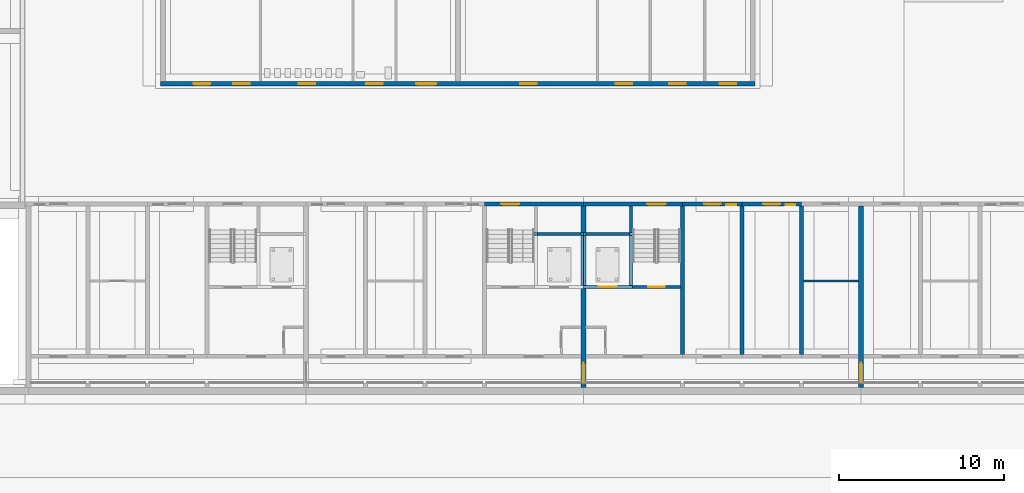
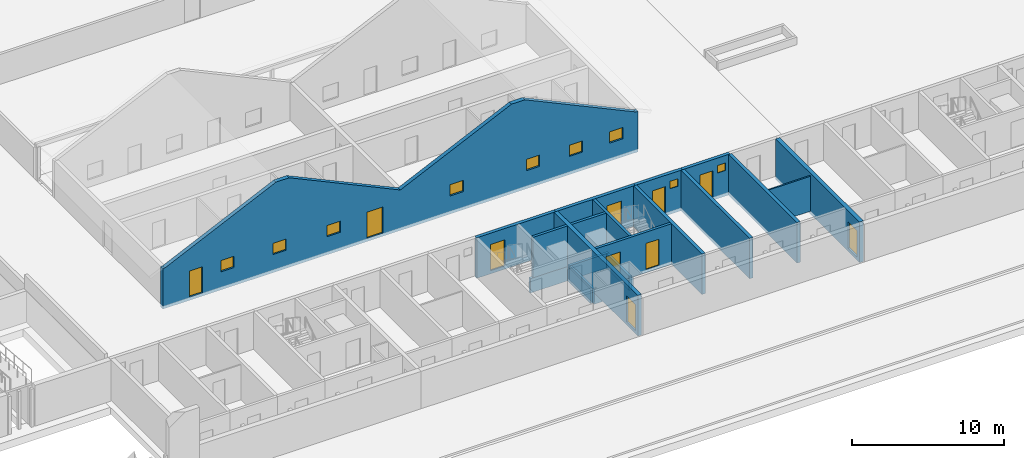
# One storey, part 39 of 112: 21 walls, 10 doors, 9 windows, 19 openings.
"""IFC4 building model written with IfcOpenShell, lengths in metres."""

from ifc_helpers import new_model, si_unit, direction, frame, frame_2d, origin, place, context, subcontext, project, spatial, polyline, rectangle, outline, extrude, material, layer, layer_set, type_object, element, fill, save


model = new_model("IFC4")

# Units and contexts
model_context = context("Model", 3, precision=1e-05, world=origin(), true_north=direction((0.0, 1.0)))
body_context = subcontext(model_context, "Body", "Model", "MODEL_VIEW")
ifc_project = project(units=[si_unit("LENGTHUNIT", "METRE"), si_unit("AREAUNIT", "SQUARE_METRE"), si_unit("VOLUMEUNIT", "CUBIC_METRE"), si_unit("PLANEANGLEUNIT", "RADIAN"), si_unit("MASSUNIT", "GRAM", prefix="KILO")], contexts=[model_context])

# Site, building, storey
site_placement = place(None, origin())
site = spatial("IfcSite", under=ifc_project, at=site_placement, CompositionType="ELEMENT")
building_placement = place(site_placement, origin())
building = spatial("IfcBuilding", under=site, at=building_placement, Name="Ridgestep Commons", CompositionType="ELEMENT")
storey_placement = place(building_placement, origin())
storey = spatial("IfcBuildingStorey", under=building, at=storey_placement, Name="L00", CompositionType="ELEMENT", Elevation=0.0)

# Walls
ifc_material_1 = material(Name="Concrete C30/37", Category="concrete")
ifc_layer_1 = layer(ifc_material_1, 0.25)
ifc_layer_set_1 = layer_set([ifc_layer_1], Name="Core cross wall 250")
wall_type_1 = type_object("IfcWallType", Name="Core cross wall 250", PredefinedType="SHEAR", material=ifc_layer_set_1)
wall_1_placement = place(storey_placement, frame((51.60009765625, 13.75, -0.25), z_axis=(0.0, 0.0, 1.0), x_axis=(0.0, 1.0, 0.0)))
element("IfcWall", 1, at=wall_1_placement, inside=storey, type_object=wall_type_1, Name="Cross wall A-00-0516", PredefinedType="SHEAR", context=body_context, shape_type="SweptSolid", body=[
    extrude(rectangle(XDim=9.0, YDim=0.25, at=frame_2d((4.5, 0.0))), origin(), (0.0, 0.0, 1.0), 3.25),
])
ifc_material_2 = material(Name="Concrete C30/37", Category="concrete")
ifc_layer_2 = layer(ifc_material_2, 0.14990234375)
ifc_layer_set_2 = layer_set([ifc_layer_2], Name="Core wall 150")
wall_type_2 = type_object("IfcWallType", Name="Core wall 150", PredefinedType="SHEAR", material=ifc_layer_set_2)
for number, where, z_axis, x_axis, name in (
    (2, (45.52490234375, 17.949951171875, -1.39990234375), (0.0, 0.0, 1.0), (0.0, 1.0, 0.0), "Lift pit wall A2C"),
    (3, (45.675048828125, 17.949951171875, -1.39990234375), (0.0, 0.0, 1.0), (0.0, 1.0, 0.0), "Lift pit wall A3C"),
):
    element("IfcWall", number, at=place(storey_placement, frame(where, z_axis=z_axis, x_axis=x_axis)), inside=storey, type_object=wall_type_2, Name=name, PredefinedType="SHEAR", context=body_context, shape_type="SweptSolid", body=[
        extrude(rectangle(XDim=3.0, YDim=0.14990234375, at=frame_2d((1.5, 0.0))), origin(), (0.0, 0.0, 1.0), 1.14990234375),
    ])
ifc_material_3 = material(Name="Concrete C30/37", Category="concrete")
ifc_layer_3 = layer(ifc_material_3, 0.199951171875)
ifc_layer_set_3 = layer_set([ifc_layer_3], Name="Core wall 200")
wall_type_3 = type_object("IfcWallType", Name="Core wall 200", PredefinedType="SHEAR", material=ifc_layer_set_3)
wall_2_placement = place(storey_placement, frame((42.824951171875, 21.050048828125, -0.25), z_axis=(0.0, 0.0, 1.0), x_axis=(1.0, 0.0, 0.0)))
element("IfcWall", 4, at=wall_2_placement, inside=storey, type_object=wall_type_3, Name="Core duct wall A2C L00", PredefinedType="SHEAR", context=body_context, shape_type="SweptSolid", body=[
    extrude(rectangle(XDim=2.625, YDim=0.199951171875, at=frame_2d((1.3125, 0.0))), origin(), (0.0, 0.0, 1.0), 3.25),
])

# Wall, openings, doors
wall_3_placement = place(storey_placement, frame((45.75, 17.85009765625, -0.25), z_axis=(0.0, 0.0, 1.0), x_axis=(1.0, 0.0, 0.0)))
wall_3 = element("IfcWall", 5, at=wall_3_placement, inside=storey, type_object=wall_type_3, Name="Core lobby wall A3C L00", PredefinedType="SHEAR", context=body_context, shape_type="SweptSolid", body=[
    extrude(rectangle(XDim=5.72509765625, YDim=0.199951171875, at=frame_2d((2.862548828125, 0.0))), origin(), (0.0, 0.0, 1.0), 3.25),
])
opening_1_placement = place(wall_3_placement, frame((3.77490234375, 0.0, 0.25)))
opening_1 = element("IfcOpeningElement", 6, at=opening_1_placement, cuts=wall_3, Name="Opening A3C/00/2", PredefinedType="OPENING", context=body_context, shape_type="SweptSolid", body=[
    extrude(rectangle(XDim=1.0, YDim=2.10009765625, at=frame_2d((0.5, 1.050048828125))), frame((0.0, 0.10986328125, 0.0), z_axis=(0.0, -1.0, 0.0), x_axis=(1.0, 0.0, 0.0)), (0.0, 0.0, 1.0), 0.219970703125),
])
opening_2_placement = place(wall_3_placement, frame((0.762451171875, 0.0, 0.25)))
opening_2 = element("IfcOpeningElement", 7, at=opening_2_placement, cuts=wall_3, Name="Opening A3C/00/3", PredefinedType="OPENING", context=body_context, shape_type="SweptSolid", body=[
    extrude(rectangle(XDim=1.10009765625, YDim=2.10009765625, at=frame_2d((0.550048828125, 1.050048828125))), frame((0.0, 0.10986328125, 0.0), z_axis=(0.0, -1.0, 0.0), x_axis=(1.0, 0.0, 0.0)), (0.0, 0.0, 1.0), 0.219970703125),
])
ifc_material_4 = material(Name="Stainless steel", Category="steel")
door_type_1 = type_object("IfcDoorType", Name="Lift landing door 1100 x 2100 FD60", OperationType="DOUBLE_DOOR_SLIDING", PredefinedType="DOOR", material=ifc_material_4)
door_1_placement = place(opening_2_placement, origin())
door_1 = element("IfcDoor", 8, at=door_1_placement, inside=storey, type_object=door_type_1, Name="Landing door LD A3C L00", OperationType="DOUBLE_DOOR_SLIDING", OverallHeight=2.10009765625, OverallWidth=1.10009765625, PredefinedType="DOOR", context=body_context, shape_type="SweptSolid", body=[
    extrude(rectangle(XDim=1.10009765625, YDim=2.10009765625, at=frame_2d((0.550048828125, 1.050048828125))), frame((0.0, 0.02490234375, 0.0), z_axis=(0.0, -1.0, 0.0), x_axis=(1.0, 0.0, 0.0)), (0.0, 0.0, 1.0), 0.050048828125),
])
fill(opening_2, door_1)
ifc_material_5 = material(Name="Steel fire door", Category="steel")
door_type_2 = type_object("IfcDoorType", Name="Stair door 1000 x 2100 FD60", OperationType="NOTDEFINED", PredefinedType="DOOR", material=ifc_material_5)
door_2_placement = place(opening_1_placement, origin())
door_2 = element("IfcDoor", 9, at=door_2_placement, inside=storey, type_object=door_type_2, Name="Stair door A3C/00/2", OperationType="SINGLE_SWING_RIGHT", OverallHeight=2.10009765625, OverallWidth=1.0, PredefinedType="DOOR", context=body_context, shape_type="SweptSolid", body=[
    extrude(rectangle(XDim=1.0, YDim=2.10009765625, at=frame_2d((0.5, 1.050048828125))), frame((0.0, 0.02490234375, 0.0), z_axis=(0.0, -1.0, 0.0), x_axis=(1.0, 0.0, 0.0)), (0.0, 0.0, 1.0), 0.050048828125),
])
fill(opening_1, door_2)

# Walls
wall_4_placement = place(storey_placement, frame((48.47509765625, 17.949951171875, -0.25), z_axis=(0.0, 0.0, 1.0), x_axis=(0.0, 1.0, 0.0)))
element("IfcWall", 10, at=wall_4_placement, inside=storey, type_object=wall_type_3, Name="Core stair wall A3C L00", PredefinedType="SHEAR", context=body_context, shape_type="SweptSolid", body=[
    extrude(rectangle(XDim=4.800048828125, YDim=0.199951171875, at=frame_2d((2.39990234375, 0.0))), origin(), (0.0, 0.0, 1.0), 3.25),
])
wall_5_placement = place(storey_placement, frame((45.75, 21.050048828125, -0.25), z_axis=(0.0, 0.0, 1.0), x_axis=(1.0, 0.0, 0.0)))
element("IfcWall", 11, at=wall_5_placement, inside=storey, type_object=wall_type_3, Name="Core duct wall A3C L00", PredefinedType="SHEAR", context=body_context, shape_type="SweptSolid", body=[
    extrude(rectangle(XDim=2.625, YDim=0.199951171875, at=frame_2d((1.3125, 0.0))), origin(), (0.0, 0.0, 1.0), 3.25),
])
wall_6_placement = place(storey_placement, frame((42.625, 21.050048828125, -1.39990234375), z_axis=(0.0, 0.0, 1.0), x_axis=(1.0, 0.0, 0.0)))
element("IfcWall", 12, at=wall_6_placement, inside=storey, type_object=wall_type_3, Name="Lift pit wall A2C", PredefinedType="SHEAR", context=body_context, shape_type="SweptSolid", body=[
    extrude(rectangle(XDim=2.97509765625, YDim=0.199951171875, at=frame_2d((1.487548828125, 0.0))), origin(), (0.0, 0.0, 1.0), 1.14990234375),
])
for number, where, z_axis, x_axis, name in (
    (13, (45.60009765625, 17.85009765625, -1.39990234375), (0.0, 0.0, 1.0), (1.0, 0.0, 0.0), "Lift pit wall A3C"),
    (14, (45.60009765625, 21.050048828125, -1.39990234375), (0.0, 0.0, 1.0), (1.0, 0.0, 0.0), "Lift pit wall A3C"),
):
    element("IfcWall", number, at=place(storey_placement, frame(where, z_axis=z_axis, x_axis=x_axis)), inside=storey, type_object=wall_type_3, Name=name, PredefinedType="SHEAR", context=body_context, shape_type="SweptSolid", body=[
        extrude(rectangle(XDim=2.974853515625, YDim=0.199951171875, at=frame_2d((1.4873046875, 0.0))), origin(), (0.0, 0.0, 1.0), 1.14990234375),
    ])
wall_7_placement = place(storey_placement, frame((48.47509765625, 17.949951171875, -1.39990234375), z_axis=(0.0, 0.0, 1.0), x_axis=(0.0, 1.0, 0.0)))
element("IfcWall", 15, at=wall_7_placement, inside=storey, type_object=wall_type_3, Name="Lift pit wall A3C", PredefinedType="SHEAR", context=body_context, shape_type="SweptSolid", body=[
    extrude(rectangle(XDim=3.0, YDim=0.199951171875, at=frame_2d((1.5, 0.0))), origin(), (0.0, 0.0, 1.0), 1.14990234375),
])
ifc_material_6 = material(Name="Precast concrete C40/50", Category="concrete")
ifc_layer_4 = layer(ifc_material_6, 0.25)
ifc_layer_set_4 = layer_set([ifc_layer_4], Name="Cross wall 250")
wall_type_4 = type_object("IfcWallType", Name="Cross wall 250", PredefinedType="SHEAR", material=ifc_layer_set_4)
for number, where, z_axis, x_axis, name in (
    (16, (55.199951171875, 13.75, -0.25), (0.0, 0.0, 1.0), (0.0, 1.0, 0.0), "Cross wall A-00-0552"),
    (17, (58.800048828125, 13.75, -0.25), (0.0, 0.0, 1.0), (0.0, 1.0, 0.0), "Cross wall A-00-0588"),
):
    element("IfcWall", number, at=place(storey_placement, frame(where, z_axis=z_axis, x_axis=x_axis)), inside=storey, type_object=wall_type_4, Name=name, PredefinedType="SHEAR", context=body_context, shape_type="SweptSolid", body=[
        extrude(rectangle(XDim=9.0, YDim=0.25, at=frame_2d((4.5, 0.0))), origin(), (0.0, 0.0, 1.0), 3.25),
    ])

# Wall, opening, door
ifc_material_7 = material(Name="Precast concrete C40/50", Category="concrete")
ifc_layer_5 = layer(ifc_material_7, 0.300048828125)
ifc_layer_set_5 = layer_set([ifc_layer_5], Name="Division wall 300")
wall_type_5 = type_object("IfcWallType", Name="Division wall 300", PredefinedType="SHEAR", material=ifc_layer_set_5)
wall_8_placement = place(storey_placement, frame((45.60009765625, 11.75, -0.25), z_axis=(0.0, 0.0, 1.0), x_axis=(0.0, 1.0, 0.0)))
wall_8 = element("IfcWall", 18, at=wall_8_placement, inside=storey, type_object=wall_type_5, Name="Cross wall A-00-0456", PredefinedType="SHEAR", context=body_context, shape_type="SweptSolid", body=[
    extrude(rectangle(XDim=11.0, YDim=0.300048828125, at=frame_2d((5.5, 0.0))), origin(), (0.0, 0.0, 1.0), 3.25),
])
opening_3_placement = place(wall_8_placement, frame((0.300048828125, 0.0, 0.25)))
opening_3 = element("IfcOpeningElement", 19, at=opening_3_placement, cuts=wall_8, Name="Opening A/00/G0456", PredefinedType="OPENING", context=body_context, shape_type="SweptSolid", body=[
    extrude(rectangle(XDim=1.199951171875, YDim=2.10009765625, at=frame_2d((0.60009765625, 1.050048828125))), frame((0.0, 0.159912109375, 0.0), z_axis=(0.0, -1.0, 0.0), x_axis=(1.0, 0.0, 0.0)), (0.0, 0.0, 1.0), 0.320068359375),
])
ifc_material_8 = material(Name="Steel fire door", Category="steel")
door_type_3 = type_object("IfcDoorType", Name="Division fire door 1200 x 2100 EI 240", OperationType="DOUBLE_DOOR_SINGLE_SWING", PredefinedType="DOOR", material=ifc_material_8)
door_3_placement = place(opening_3_placement, origin())
door_3 = element("IfcDoor", 20, at=door_3_placement, inside=storey, type_object=door_type_3, Name="Division fire door A/00/G0456", OperationType="DOUBLE_DOOR_SINGLE_SWING", OverallHeight=2.10009765625, OverallWidth=1.199951171875, PredefinedType="DOOR", context=body_context, shape_type="SweptSolid", body=[
    extrude(rectangle(XDim=1.199951171875, YDim=2.10009765625, at=frame_2d((0.60009765625, 1.050048828125))), frame((0.0, 0.02490234375, 0.0), z_axis=(0.0, -1.0, 0.0), x_axis=(1.0, 0.0, 0.0)), (0.0, 0.0, 1.0), 0.050048828125),
])
fill(opening_3, door_3)

wall_9_placement = place(storey_placement, frame((62.39990234375, 11.75, -0.25), z_axis=(0.0, 0.0, 1.0), x_axis=(0.0, 1.0, 0.0)))
wall_9 = element("IfcWall", 21, at=wall_9_placement, inside=storey, type_object=wall_type_5, Name="Cross wall A-00-0624", PredefinedType="SHEAR", context=body_context, shape_type="SweptSolid", body=[
    extrude(rectangle(XDim=11.0, YDim=0.300048828125, at=frame_2d((5.5, 0.0))), origin(), (0.0, 0.0, 1.0), 3.25),
])
opening_4_placement = place(wall_9_placement, frame((0.300048828125, 0.0, 0.25)))
opening_4 = element("IfcOpeningElement", 22, at=opening_4_placement, cuts=wall_9, Name="Opening A/00/G0624", PredefinedType="OPENING", context=body_context, shape_type="SweptSolid", body=[
    extrude(rectangle(XDim=1.199951171875, YDim=2.10009765625, at=frame_2d((0.60009765625, 1.050048828125))), frame((0.0, 0.159912109375, 0.0), z_axis=(0.0, -1.0, 0.0), x_axis=(1.0, 0.0, 0.0)), (0.0, 0.0, 1.0), 0.320068359375),
])
door_4_placement = place(opening_4_placement, origin())
door_4 = element("IfcDoor", 23, at=door_4_placement, inside=storey, type_object=door_type_3, Name="Division fire door A/00/G0624", OperationType="DOUBLE_DOOR_SINGLE_SWING", OverallHeight=2.10009765625, OverallWidth=1.199951171875, PredefinedType="DOOR", context=body_context, shape_type="SweptSolid", body=[
    extrude(rectangle(XDim=1.199951171875, YDim=2.10009765625, at=frame_2d((0.60009765625, 1.050048828125))), frame((0.0, 0.02490234375, 0.0), z_axis=(0.0, -1.0, 0.0), x_axis=(1.0, 0.0, 0.0)), (0.0, 0.0, 1.0), 0.050048828125),
])
fill(opening_4, door_4)

ifc_material_9 = material(Name="Precast concrete C40/50", Category="concrete")
ifc_layer_6 = layer(ifc_material_9, 0.25)
ifc_layer_set_6 = layer_set([ifc_layer_6], Name="North facade panel 250")
wall_type_6 = type_object("IfcWallType", Name="North facade panel 250", PredefinedType="SOLIDWALL", material=ifc_layer_set_6)
wall_10_placement = place(storey_placement, frame((39.60009765625, 22.875, -0.25), z_axis=(0.0, 0.0, 1.0), x_axis=(1.0, 0.0, 0.0)))
wall_10 = element("IfcWall", 24, at=wall_10_placement, inside=storey, type_object=wall_type_6, Name="North panel A2C L00", PredefinedType="SOLIDWALL", context=body_context, shape_type="SweptSolid", body=[
    extrude(rectangle(XDim=6.0, YDim=0.25, at=frame_2d((3.0, 0.0))), origin(), (0.0, 0.0, 1.0), 3.25),
])
opening_5_placement = place(wall_10_placement, frame((1.02490234375, 0.0, 0.25)))
opening_5 = element("IfcOpeningElement", 25, at=opening_5_placement, cuts=wall_10, Name="Opening A2C/00/5", PredefinedType="OPENING", context=body_context, shape_type="SweptSolid", body=[
    extrude(rectangle(XDim=1.10009765625, YDim=2.10009765625, at=frame_2d((0.550048828125, 1.050048828125))), frame((0.0, 0.135009765625, 0.0), z_axis=(0.0, -1.0, 0.0), x_axis=(1.0, 0.0, 0.0)), (0.0, 0.0, 1.0), 0.27001953125),
])
ifc_material_10 = material(Name="Steel fire door", Category="steel")
door_type_4 = type_object("IfcDoorType", Name="Stair exit door 1100 x 2100 FD60", OperationType="NOTDEFINED", PredefinedType="DOOR", material=ifc_material_10)
door_5_placement = place(opening_5_placement, origin())
door_5 = element("IfcDoor", 26, at=door_5_placement, inside=storey, type_object=door_type_4, Name="Stair exit door A2C/00/5", OperationType="SINGLE_SWING_LEFT", OverallHeight=2.10009765625, OverallWidth=1.10009765625, PredefinedType="DOOR", context=body_context, shape_type="SweptSolid", body=[
    extrude(rectangle(XDim=1.10009765625, YDim=2.10009765625, at=frame_2d((0.550048828125, 1.050048828125))), frame((0.0, 0.02490234375, 0.0), z_axis=(0.0, -1.0, 0.0), x_axis=(1.0, 0.0, 0.0)), (0.0, 0.0, 1.0), 0.050048828125),
])
fill(opening_5, door_5)

wall_11_placement = place(storey_placement, frame((45.60009765625, 22.875, -0.25), z_axis=(0.0, 0.0, 1.0), x_axis=(1.0, 0.0, 0.0)))
wall_11 = element("IfcWall", 27, at=wall_11_placement, inside=storey, type_object=wall_type_6, Name="North panel A3C L00", PredefinedType="SOLIDWALL", context=body_context, shape_type="SweptSolid", body=[
    extrude(rectangle(XDim=6.0, YDim=0.25, at=frame_2d((3.0, 0.0))), origin(), (0.0, 0.0, 1.0), 3.25),
])
opening_6_placement = place(wall_11_placement, frame((3.875, 0.0, 0.25)))
opening_6 = element("IfcOpeningElement", 28, at=opening_6_placement, cuts=wall_11, Name="Opening A3C/00/5", PredefinedType="OPENING", context=body_context, shape_type="SweptSolid", body=[
    extrude(rectangle(XDim=1.10009765625, YDim=2.10009765625, at=frame_2d((0.550048828125, 1.050048828125))), frame((0.0, 0.135009765625, 0.0), z_axis=(0.0, -1.0, 0.0), x_axis=(1.0, 0.0, 0.0)), (0.0, 0.0, 1.0), 0.27001953125),
])
door_6_placement = place(opening_6_placement, origin())
door_6 = element("IfcDoor", 29, at=door_6_placement, inside=storey, type_object=door_type_4, Name="Stair exit door A3C/00/5", OperationType="SINGLE_SWING_LEFT", OverallHeight=2.10009765625, OverallWidth=1.10009765625, PredefinedType="DOOR", context=body_context, shape_type="SweptSolid", body=[
    extrude(rectangle(XDim=1.10009765625, YDim=2.10009765625, at=frame_2d((0.550048828125, 1.050048828125))), frame((0.0, 0.02490234375, 0.0), z_axis=(0.0, -1.0, 0.0), x_axis=(1.0, 0.0, 0.0)), (0.0, 0.0, 1.0), 0.050048828125),
])
fill(opening_6, door_6)

# Wall, openings, door, window
wall_12_placement = place(storey_placement, frame((51.60009765625, 22.875, -0.25), z_axis=(0.0, 0.0, 1.0), x_axis=(1.0, 0.0, 0.0)))
wall_12 = element("IfcWall", 30, at=wall_12_placement, inside=storey, type_object=wall_type_6, Name="North panel A3T3 L00", PredefinedType="SOLIDWALL", context=body_context, shape_type="SweptSolid", body=[
    extrude(rectangle(XDim=3.599853515625, YDim=0.25, at=frame_2d((1.7998046875, 0.0))), origin(), (0.0, 0.0, 1.0), 3.25),
])
opening_7_placement = place(wall_12_placement, frame((2.637451171875, 0.0, 2.050048828125)))
opening_7 = element("IfcOpeningElement", 31, at=opening_7_placement, cuts=wall_12, Name="Opening W01", PredefinedType="OPENING", context=body_context, shape_type="SweptSolid", body=[
    extrude(rectangle(XDim=0.60009765625, YDim=0.60009765625, at=frame_2d((0.300048828125, 0.300048828125))), frame((0.0, 0.135009765625, 0.0), z_axis=(0.0, -1.0, 0.0), x_axis=(1.0, 0.0, 0.0)), (0.0, 0.0, 1.0), 0.27001953125),
])
opening_8_placement = place(wall_12_placement, frame((1.300048828125, 0.0, 0.25)))
opening_8 = element("IfcOpeningElement", 32, at=opening_8_placement, cuts=wall_12, Name="Opening A3-00p/2", PredefinedType="OPENING", context=body_context, shape_type="SweptSolid", body=[
    extrude(rectangle(XDim=1.0, YDim=2.10009765625, at=frame_2d((0.5, 1.050048828125))), frame((0.0, 0.135009765625, 0.0), z_axis=(0.0, -1.0, 0.0), x_axis=(1.0, 0.0, 0.0)), (0.0, 0.0, 1.0), 0.27001953125),
])
ifc_material_11 = material(Name="Steel door leaf", Category="steel")
door_type_5 = type_object("IfcDoorType", Name="Exterior door 1000 x 2100", OperationType="NOTDEFINED", PredefinedType="DOOR", material=ifc_material_11)
door_7_placement = place(opening_8_placement, origin())
door_7 = element("IfcDoor", 33, at=door_7_placement, inside=storey, type_object=door_type_5, Name="Exterior door A3-00p/2", OperationType="SINGLE_SWING_LEFT", OverallHeight=2.10009765625, OverallWidth=1.0, PredefinedType="DOOR", context=body_context, shape_type="SweptSolid", body=[
    extrude(rectangle(XDim=1.0, YDim=2.10009765625, at=frame_2d((0.5, 1.050048828125))), frame((0.0, 0.02490234375, 0.0), z_axis=(0.0, -1.0, 0.0), x_axis=(1.0, 0.0, 0.0)), (0.0, 0.0, 1.0), 0.050048828125),
])
fill(opening_8, door_7)
ifc_material_12 = material(Name="Aluminium 6063-T6 and glass", Category="aluminium")
window_type_1 = type_object("IfcWindowType", Name="Flat window 600 x 600", PartitioningType="SINGLE_PANEL", PredefinedType="WINDOW", material=ifc_material_12)
window_1_placement = place(opening_7_placement, origin())
window_1 = element("IfcWindow", 34, at=window_1_placement, inside=storey, type_object=window_type_1, Name="Window A3-00p 2", OverallHeight=0.60009765625, OverallWidth=0.60009765625, PartitioningType="SINGLE_PANEL", PredefinedType="WINDOW", context=body_context, shape_type="SweptSolid", body=[
    extrude(rectangle(XDim=0.60009765625, YDim=0.60009765625, at=frame_2d((0.300048828125, 0.300048828125))), frame((0.0, -0.02490234375, 0.0), z_axis=(0.0, -1.0, 0.0), x_axis=(1.0, 0.0, 0.0)), (0.0, 0.0, 1.0), 0.06005859375),
])
fill(opening_7, window_1)

wall_13_placement = place(storey_placement, frame((55.199951171875, 22.875, -0.25), z_axis=(0.0, 0.0, 1.0), x_axis=(1.0, 0.0, 0.0)))
wall_13 = element("IfcWall", 35, at=wall_13_placement, inside=storey, type_object=wall_type_6, Name="North panel A3T2 L00", PredefinedType="SOLIDWALL", context=body_context, shape_type="SweptSolid", body=[
    extrude(rectangle(XDim=3.60009765625, YDim=0.25, at=frame_2d((1.800048828125, 0.0))), origin(), (0.0, 0.0, 1.0), 3.25),
])
opening_9_placement = place(wall_13_placement, frame((2.637451171875, 0.0, 2.050048828125)))
opening_9 = element("IfcOpeningElement", 36, at=opening_9_placement, cuts=wall_13, Name="Opening W01", PredefinedType="OPENING", context=body_context, shape_type="SweptSolid", body=[
    extrude(rectangle(XDim=0.60009765625, YDim=0.60009765625, at=frame_2d((0.300048828125, 0.300048828125))), frame((0.0, 0.135009765625, 0.0), z_axis=(0.0, -1.0, 0.0), x_axis=(1.0, 0.0, 0.0)), (0.0, 0.0, 1.0), 0.27001953125),
])
opening_10_placement = place(wall_13_placement, frame((1.300048828125, 0.0, 0.25)))
opening_10 = element("IfcOpeningElement", 37, at=opening_10_placement, cuts=wall_13, Name="Opening A3-00p/4", PredefinedType="OPENING", context=body_context, shape_type="SweptSolid", body=[
    extrude(rectangle(XDim=1.0, YDim=2.10009765625, at=frame_2d((0.5, 1.050048828125))), frame((0.0, 0.135009765625, 0.0), z_axis=(0.0, -1.0, 0.0), x_axis=(1.0, 0.0, 0.0)), (0.0, 0.0, 1.0), 0.27001953125),
])
door_8_placement = place(opening_10_placement, origin())
door_8 = element("IfcDoor", 38, at=door_8_placement, inside=storey, type_object=door_type_5, Name="Exterior door A3-00p/4", OperationType="SINGLE_SWING_LEFT", OverallHeight=2.10009765625, OverallWidth=1.0, PredefinedType="DOOR", context=body_context, shape_type="SweptSolid", body=[
    extrude(rectangle(XDim=1.0, YDim=2.10009765625, at=frame_2d((0.5, 1.050048828125))), frame((0.0, 0.02490234375, 0.0), z_axis=(0.0, -1.0, 0.0), x_axis=(1.0, 0.0, 0.0)), (0.0, 0.0, 1.0), 0.050048828125),
])
fill(opening_10, door_8)
window_2_placement = place(opening_9_placement, origin())
window_2 = element("IfcWindow", 39, at=window_2_placement, inside=storey, type_object=window_type_1, Name="Window A3-00p 4", OverallHeight=0.60009765625, OverallWidth=0.60009765625, PartitioningType="SINGLE_PANEL", PredefinedType="WINDOW", context=body_context, shape_type="SweptSolid", body=[
    extrude(rectangle(XDim=0.60009765625, YDim=0.60009765625, at=frame_2d((0.300048828125, 0.300048828125))), frame((0.0, -0.02490234375, 0.0), z_axis=(0.0, -1.0, 0.0), x_axis=(1.0, 0.0, 0.0)), (0.0, 0.0, 1.0), 0.06005859375),
])
fill(opening_9, window_2)

# Wall, openings, doors, windows
ifc_material_13 = material(Name="Facing brick", Category="masonry")
ifc_layer_7 = layer(ifc_material_13, 0.300048828125)
ifc_layer_set_7 = layer_set([ifc_layer_7], Name="Nursery gable wall 300")
wall_type_7 = type_object("IfcWallType", Name="Nursery gable wall 300", PredefinedType="SOLIDWALL", material=ifc_layer_set_7)
wall_14_placement = place(storey_placement, frame((20.0, 30.14990234375, -0.25), z_axis=(0.0, 0.0, 1.0), x_axis=(1.0, 0.0, 0.0)))
wall_14 = element("IfcWall", 40, at=wall_14_placement, inside=storey, type_object=wall_type_7, Name="Nursery gable wall 300", PredefinedType="SOLIDWALL", context=body_context, shape_type="SweptSolid", body=[
    extrude(outline(polyline([(0.0, 0.0), (36.0, 0.0), (36.0, 3.2470703125), (35.85009765625, 3.2470703125), (27.425048828125, 7.175537109375), (26.425048828125, 7.175537109375), (18.0, 3.2470703125), (9.574951171875, 7.175537109375), (8.574951171875, 7.175537109375), (0.14990234375, 3.2470703125), (0.0, 3.2470703125), (0.0, 0.0)])), frame((0.0, 0.14990234375, 0.0), z_axis=(0.0, -1.0, 0.0), x_axis=(1.0, 0.0, 0.0)), (0.0, 0.0, 1.0), 0.300048828125),
])
opening_11_placement = place(wall_14_placement, frame((2.0, 0.0, 0.25)))
opening_11 = element("IfcOpeningElement", 41, at=opening_11_placement, cuts=wall_14, Name="Opening C016", PredefinedType="OPENING", context=body_context, shape_type="SweptSolid", body=[
    extrude(rectangle(XDim=1.0, YDim=2.10009765625, at=frame_2d((0.5, 1.050048828125))), frame((0.0, 0.159912109375, 0.0), z_axis=(0.0, -1.0, 0.0), x_axis=(1.0, 0.0, 0.0)), (0.0, 0.0, 1.0), 0.320068359375),
])
opening_12_placement = place(wall_14_placement, frame((4.39990234375, 0.0, 1.449951171875)))
opening_12 = element("IfcOpeningElement", 42, at=opening_12_placement, cuts=wall_14, Name="Opening WK8", PredefinedType="OPENING", context=body_context, shape_type="SweptSolid", body=[
    extrude(rectangle(XDim=1.0, YDim=0.89990234375, at=frame_2d((0.5, 0.449951171875))), frame((0.0, 0.159912109375, 0.0), z_axis=(0.0, -1.0, 0.0), x_axis=(1.0, 0.0, 0.0)), (0.0, 0.0, 1.0), 0.320068359375),
])
opening_13_placement = place(wall_14_placement, frame((8.35009765625, 0.0, 1.449951171875)))
opening_13 = element("IfcOpeningElement", 43, at=opening_13_placement, cuts=wall_14, Name="Opening WK8", PredefinedType="OPENING", context=body_context, shape_type="SweptSolid", body=[
    extrude(rectangle(XDim=1.0, YDim=0.89990234375, at=frame_2d((0.5, 0.449951171875))), frame((0.0, 0.159912109375, 0.0), z_axis=(0.0, -1.0, 0.0), x_axis=(1.0, 0.0, 0.0)), (0.0, 0.0, 1.0), 0.320068359375),
])
opening_14_placement = place(wall_14_placement, frame((12.449951171875, 0.0, 1.449951171875)))
opening_14 = element("IfcOpeningElement", 44, at=opening_14_placement, cuts=wall_14, Name="Opening WK8", PredefinedType="OPENING", context=body_context, shape_type="SweptSolid", body=[
    extrude(rectangle(XDim=1.0, YDim=0.89990234375, at=frame_2d((0.5, 0.449951171875))), frame((0.0, 0.159912109375, 0.0), z_axis=(0.0, -1.0, 0.0), x_axis=(1.0, 0.0, 0.0)), (0.0, 0.0, 1.0), 0.320068359375),
])
opening_15_placement = place(wall_14_placement, frame((15.4775390625, 0.0, 0.25)))
opening_15 = element("IfcOpeningElement", 45, at=opening_15_placement, cuts=wall_14, Name="Opening C017", PredefinedType="OPENING", context=body_context, shape_type="SweptSolid", body=[
    extrude(rectangle(XDim=1.199951171875, YDim=2.10009765625, at=frame_2d((0.60009765625, 1.050048828125))), frame((0.0, 0.159912109375, 0.0), z_axis=(0.0, -1.0, 0.0), x_axis=(1.0, 0.0, 0.0)), (0.0, 0.0, 1.0), 0.320068359375),
])
opening_16_placement = place(wall_14_placement, frame((21.7724609375, 0.0, 1.449951171875)))
opening_16 = element("IfcOpeningElement", 46, at=opening_16_placement, cuts=wall_14, Name="Opening WK8", PredefinedType="OPENING", context=body_context, shape_type="SweptSolid", body=[
    extrude(rectangle(XDim=1.0, YDim=0.89990234375, at=frame_2d((0.5, 0.449951171875))), frame((0.0, 0.159912109375, 0.0), z_axis=(0.0, -1.0, 0.0), x_axis=(1.0, 0.0, 0.0)), (0.0, 0.0, 1.0), 0.320068359375),
])
opening_17_placement = place(wall_14_placement, frame((27.550048828125, 0.0, 1.449951171875)))
opening_17 = element("IfcOpeningElement", 47, at=opening_17_placement, cuts=wall_14, Name="Opening WK8", PredefinedType="OPENING", context=body_context, shape_type="SweptSolid", body=[
    extrude(rectangle(XDim=1.0, YDim=0.89990234375, at=frame_2d((0.5, 0.449951171875))), frame((0.0, 0.159912109375, 0.0), z_axis=(0.0, -1.0, 0.0), x_axis=(1.0, 0.0, 0.0)), (0.0, 0.0, 1.0), 0.320068359375),
])
opening_18_placement = place(wall_14_placement, frame((30.800048828125, 0.0, 1.449951171875)))
opening_18 = element("IfcOpeningElement", 48, at=opening_18_placement, cuts=wall_14, Name="Opening WK8", PredefinedType="OPENING", context=body_context, shape_type="SweptSolid", body=[
    extrude(rectangle(XDim=1.0, YDim=0.89990234375, at=frame_2d((0.5, 0.449951171875))), frame((0.0, 0.159912109375, 0.0), z_axis=(0.0, -1.0, 0.0), x_axis=(1.0, 0.0, 0.0)), (0.0, 0.0, 1.0), 0.320068359375),
])
opening_19_placement = place(wall_14_placement, frame((33.8525390625, 0.0, 1.449951171875)))
opening_19 = element("IfcOpeningElement", 49, at=opening_19_placement, cuts=wall_14, Name="Opening WK8", PredefinedType="OPENING", context=body_context, shape_type="SweptSolid", body=[
    extrude(rectangle(XDim=1.0, YDim=0.89990234375, at=frame_2d((0.5, 0.449951171875))), frame((0.0, 0.159912109375, 0.0), z_axis=(0.0, -1.0, 0.0), x_axis=(1.0, 0.0, 0.0)), (0.0, 0.0, 1.0), 0.320068359375),
])
ifc_material_14 = material(Name="Timber and glass", Category="wood")
door_type_6 = type_object("IfcDoorType", Name="Community entrance door 1200 x 2100", OperationType="SINGLE_SWING_LEFT", PredefinedType="DOOR", material=ifc_material_14)
door_9_placement = place(opening_15_placement, origin())
door_9 = element("IfcDoor", 50, at=door_9_placement, inside=storey, type_object=door_type_6, Name="Community entrance door 1200 x 2100", OperationType="SINGLE_SWING_LEFT", OverallHeight=2.10009765625, OverallWidth=1.199951171875, PredefinedType="DOOR", context=body_context, shape_type="SweptSolid", body=[
    extrude(rectangle(XDim=1.199951171875, YDim=2.10009765625, at=frame_2d((0.60009765625, 1.050048828125))), frame((0.0, 0.02490234375, 0.0), z_axis=(0.0, -1.0, 0.0), x_axis=(1.0, 0.0, 0.0)), (0.0, 0.0, 1.0), 0.050048828125),
])
fill(opening_15, door_9)
ifc_material_15 = material(Name="Steel", Category="steel")
door_type_7 = type_object("IfcDoorType", Name="Community exit door 1000 x 2100", OperationType="SINGLE_SWING_LEFT", PredefinedType="DOOR", material=ifc_material_15)
door_10_placement = place(opening_11_placement, frame((1.0, 0.0, 0.0), z_axis=(0.0, 0.0, 1.0), x_axis=(-1.0, 0.0, 0.0)))
door_10 = element("IfcDoor", 51, at=door_10_placement, inside=storey, type_object=door_type_7, Name="Community exit door 1000 x 2100", OperationType="SINGLE_SWING_LEFT", OverallHeight=2.10009765625, OverallWidth=1.0, PredefinedType="DOOR", context=body_context, shape_type="SweptSolid", body=[
    extrude(rectangle(XDim=1.0, YDim=2.10009765625, at=frame_2d((0.5, 1.050048828125))), frame((0.0, 0.02490234375, 0.0), z_axis=(0.0, -1.0, 0.0), x_axis=(1.0, 0.0, 0.0)), (0.0, 0.0, 1.0), 0.050048828125),
])
fill(opening_11, door_10)
ifc_material_16 = material(Name="Timber and glass", Category="wood")
window_type_2 = type_object("IfcWindowType", Name="Nursery window 1000 x 900", PartitioningType="SINGLE_PANEL", PredefinedType="WINDOW", material=ifc_material_16)
window_3_placement = place(opening_12_placement, origin())
window_3 = element("IfcWindow", 52, at=window_3_placement, inside=storey, type_object=window_type_2, Name="Nursery window 1000 x 900", OverallHeight=0.89990234375, OverallWidth=1.0, PartitioningType="SINGLE_PANEL", PredefinedType="WINDOW", context=body_context, shape_type="SweptSolid", body=[
    extrude(rectangle(XDim=1.0, YDim=0.89990234375, at=frame_2d((0.5, 0.449951171875))), frame((0.0, 0.030029296875, 0.0), z_axis=(0.0, -1.0, 0.0), x_axis=(1.0, 0.0, 0.0)), (0.0, 0.0, 1.0), 0.06005859375),
])
fill(opening_12, window_3)
window_4_placement = place(opening_13_placement, origin())
window_4 = element("IfcWindow", 53, at=window_4_placement, inside=storey, type_object=window_type_2, Name="Nursery window 1000 x 900", OverallHeight=0.89990234375, OverallWidth=1.0, PartitioningType="SINGLE_PANEL", PredefinedType="WINDOW", context=body_context, shape_type="SweptSolid", body=[
    extrude(rectangle(XDim=1.0, YDim=0.89990234375, at=frame_2d((0.5, 0.449951171875))), frame((0.0, 0.030029296875, 0.0), z_axis=(0.0, -1.0, 0.0), x_axis=(1.0, 0.0, 0.0)), (0.0, 0.0, 1.0), 0.06005859375),
])
fill(opening_13, window_4)
window_5_placement = place(opening_14_placement, origin())
window_5 = element("IfcWindow", 54, at=window_5_placement, inside=storey, type_object=window_type_2, Name="Nursery window 1000 x 900", OverallHeight=0.89990234375, OverallWidth=1.0, PartitioningType="SINGLE_PANEL", PredefinedType="WINDOW", context=body_context, shape_type="SweptSolid", body=[
    extrude(rectangle(XDim=1.0, YDim=0.89990234375, at=frame_2d((0.5, 0.449951171875))), frame((0.0, 0.030029296875, 0.0), z_axis=(0.0, -1.0, 0.0), x_axis=(1.0, 0.0, 0.0)), (0.0, 0.0, 1.0), 0.06005859375),
])
fill(opening_14, window_5)
window_6_placement = place(opening_16_placement, origin())
window_6 = element("IfcWindow", 55, at=window_6_placement, inside=storey, type_object=window_type_2, Name="Nursery window 1000 x 900", OverallHeight=0.89990234375, OverallWidth=1.0, PartitioningType="SINGLE_PANEL", PredefinedType="WINDOW", context=body_context, shape_type="SweptSolid", body=[
    extrude(rectangle(XDim=1.0, YDim=0.89990234375, at=frame_2d((0.5, 0.449951171875))), frame((0.0, 0.030029296875, 0.0), z_axis=(0.0, -1.0, 0.0), x_axis=(1.0, 0.0, 0.0)), (0.0, 0.0, 1.0), 0.06005859375),
])
fill(opening_16, window_6)
window_7_placement = place(opening_17_placement, origin())
window_7 = element("IfcWindow", 56, at=window_7_placement, inside=storey, type_object=window_type_2, Name="Nursery window 1000 x 900", OverallHeight=0.89990234375, OverallWidth=1.0, PartitioningType="SINGLE_PANEL", PredefinedType="WINDOW", context=body_context, shape_type="SweptSolid", body=[
    extrude(rectangle(XDim=1.0, YDim=0.89990234375, at=frame_2d((0.5, 0.449951171875))), frame((0.0, 0.030029296875, 0.0), z_axis=(0.0, -1.0, 0.0), x_axis=(1.0, 0.0, 0.0)), (0.0, 0.0, 1.0), 0.06005859375),
])
fill(opening_17, window_7)
window_8_placement = place(opening_18_placement, origin())
window_8 = element("IfcWindow", 57, at=window_8_placement, inside=storey, type_object=window_type_2, Name="Nursery window 1000 x 900", OverallHeight=0.89990234375, OverallWidth=1.0, PartitioningType="SINGLE_PANEL", PredefinedType="WINDOW", context=body_context, shape_type="SweptSolid", body=[
    extrude(rectangle(XDim=1.0, YDim=0.89990234375, at=frame_2d((0.5, 0.449951171875))), frame((0.0, 0.030029296875, 0.0), z_axis=(0.0, -1.0, 0.0), x_axis=(1.0, 0.0, 0.0)), (0.0, 0.0, 1.0), 0.06005859375),
])
fill(opening_18, window_8)
window_9_placement = place(opening_19_placement, origin())
window_9 = element("IfcWindow", 58, at=window_9_placement, inside=storey, type_object=window_type_2, Name="Nursery window 1000 x 900", OverallHeight=0.89990234375, OverallWidth=1.0, PartitioningType="SINGLE_PANEL", PredefinedType="WINDOW", context=body_context, shape_type="SweptSolid", body=[
    extrude(rectangle(XDim=1.0, YDim=0.89990234375, at=frame_2d((0.5, 0.449951171875))), frame((0.0, 0.030029296875, 0.0), z_axis=(0.0, -1.0, 0.0), x_axis=(1.0, 0.0, 0.0)), (0.0, 0.0, 1.0), 0.06005859375),
])
fill(opening_19, window_9)

# Wall
ifc_material_17 = material(Name="Common brick 110 mm", Category="masonry")
ifc_layer_8 = layer(ifc_material_17, 0.110107421875)
ifc_layer_set_8 = layer_set([ifc_layer_8], Name="Partition 110")
wall_type_8 = type_object("IfcWallType", Name="Partition 110", PredefinedType="PARTITIONING", material=ifc_layer_set_8)
wall_15_placement = place(storey_placement, frame((58.925048828125, 18.205078125, 0.0), z_axis=(0.0, 0.0, 1.0), x_axis=(1.0, 0.0, 0.0)))
element("IfcWall", 59, at=wall_15_placement, inside=storey, type_object=wall_type_8, Name="Partition A3-00p", PredefinedType="PARTITIONING", context=body_context, shape_type="SweptSolid", body=[
    extrude(rectangle(XDim=3.324951171875, YDim=0.110107421875, at=frame_2d((1.66259765625, 0.0))), origin(), (0.0, 0.0, 1.0), 2.800048828125),
])

save(model, "model.ifc")
